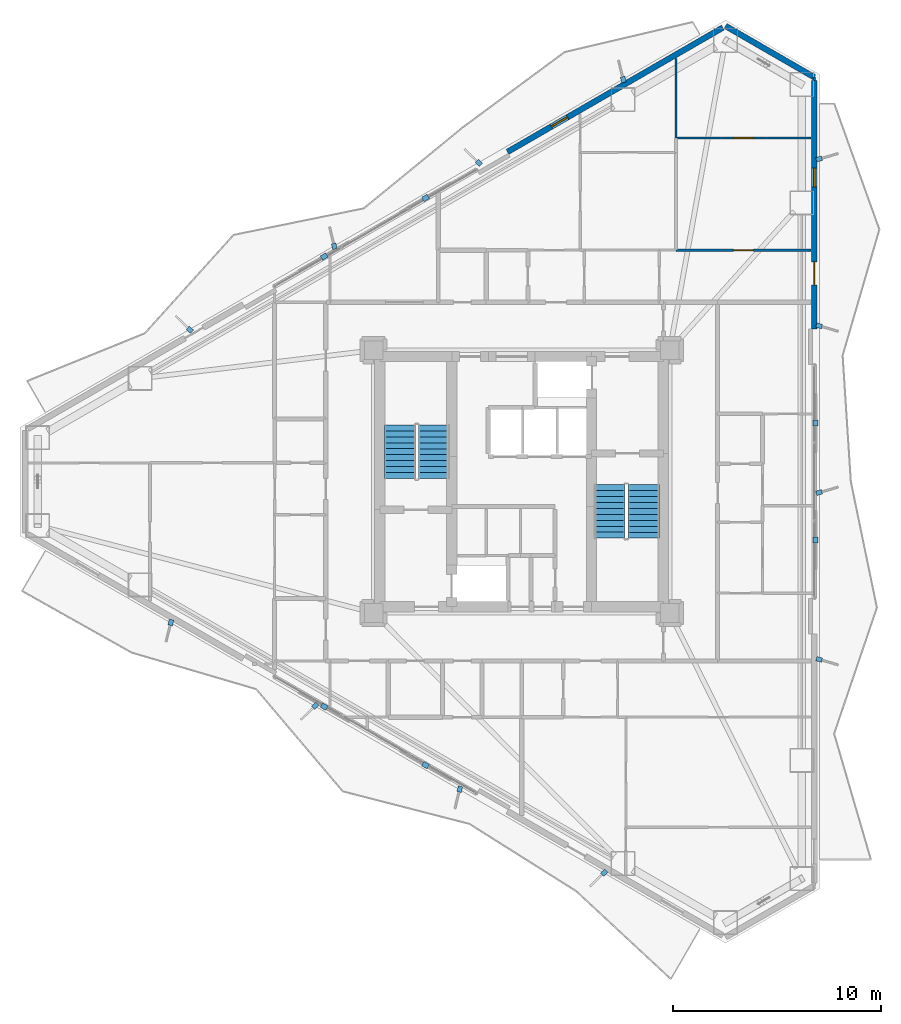
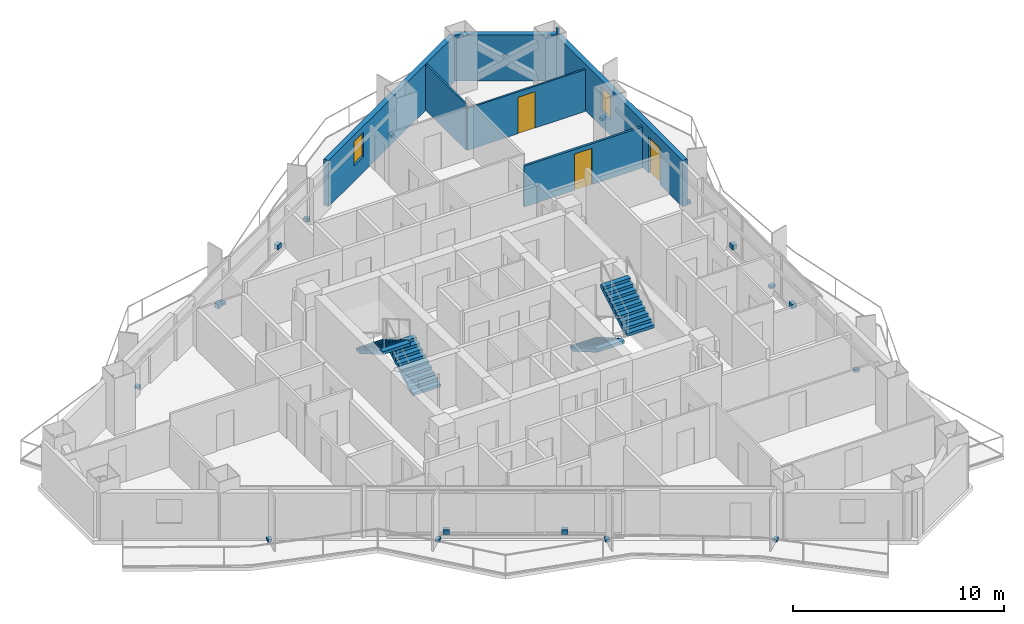
# One storey, part 20 of 22: 18 discrete accessories, 7 walls, 4 stair flights, 3 doors, 2 windows, 5 openings, 2 elements without a shape of their own.
"""IFC4 building model written with IfcOpenShell, lengths in metres."""

from ifc_helpers import new_model, si_unit, direction, frame, frame_2d, origin, origin_2d, place, context, subcontext, project, spatial, polyline, rectangle, outline, extrude, material, layer, layer_set, type_object, element, fill, aggregate, save


model = new_model("IFC4")

# Units and contexts
model_context = context("Model", 3, precision=1e-05, world=origin(), true_north=direction((0.0, 1.0)))
body_context = subcontext(model_context, "Body", "Model", "MODEL_VIEW")
ifc_project = project(units=[si_unit("LENGTHUNIT", "METRE"), si_unit("AREAUNIT", "SQUARE_METRE"), si_unit("VOLUMEUNIT", "CUBIC_METRE"), si_unit("PLANEANGLEUNIT", "RADIAN"), si_unit("MASSUNIT", "GRAM", prefix="KILO")], contexts=[model_context])

# Site, building, storey
site_placement = place(None, origin())
site = spatial("IfcSite", under=ifc_project, at=site_placement, CompositionType="ELEMENT")
building_placement = place(site_placement, origin())
building = spatial("IfcBuilding", under=site, at=building_placement, Name="Mersakhor Tower and Convention Hall", CompositionType="ELEMENT")
storey_placement = place(building_placement, frame((0.0, 0.0, 76.800048828125)))
storey = spatial("IfcBuildingStorey", under=building, at=storey_placement, Name="L20", CompositionType="ELEMENT", Elevation=76.800048828125)

# Wall
ifc_material_1 = material(Name="Precast concrete C45/55", Category="concrete")
ifc_layer_1 = layer(ifc_material_1, 0.27490234375)
ifc_layer_set_1 = layer_set([ifc_layer_1], Name="Precast concrete C45/55")
wall_type_1 = type_object("IfcWallType", Name="WL-EXT-275", PredefinedType="SOLIDWALL", material=ifc_layer_set_1)
wall_1_placement = place(storey_placement, frame((38.77880859375, 48.6015625, 0.0), z_axis=(0.0, 0.0, 1.0), x_axis=(0.866011848704, -0.500023477353, 0.0)))
element("IfcWall", 1, at=wall_1_placement, inside=storey, type_object=wall_type_1, Name="L20 Chamfer Braced Spandrel Wall C1", PredefinedType="SOLIDWALL", context=body_context, shape_type="SweptSolid", body=[
    extrude(rectangle(XDim=4.914306640625, YDim=0.27490234375, at=frame_2d((2.45703125, 0.0))), origin(), (0.0, 0.0, 1.0), 2.669921875),
])

# Wall, opening, window
wall_2_placement = place(storey_placement, frame((28.3173828125, 42.561767578125, 0.0), z_axis=(0.0, 0.0, 1.0), x_axis=(0.866023023012, 0.500004123596, 0.0)))
wall_2 = element("IfcWall", 2, at=wall_2_placement, inside=storey, type_object=wall_type_1, Name="L20 Exterior Facade Wall F1-B3", PredefinedType="SOLIDWALL", context=body_context, shape_type="SweptSolid", body=[
    extrude(rectangle(XDim=11.9296875, YDim=0.27490234375, at=frame_2d((5.96484375, 0.0))), origin(), (0.0, 0.0, 1.0), 2.669921875),
])
opening_1_placement = place(wall_2_placement, frame((2.427001953125, 0.0, 0.89990234375)))
opening_1 = element("IfcOpeningElement", 3, at=opening_1_placement, cuts=wall_2, Name="Opening W-06", PredefinedType="OPENING", context=body_context, shape_type="SweptSolid", body=[
    extrude(rectangle(XDim=0.89990234375, YDim=1.39990234375, at=frame_2d((0.449951171875, 0.699951171875))), frame((0.0, 0.1474609375, 0.0), z_axis=(0.0, -1.0, 0.0), x_axis=(1.0, 0.0, 0.0)), (0.0, 0.0, 1.0), 0.294921875),
])
ifc_material_2 = material(Name="Dark solar low-E glazed aluminium window", Category="aluminium")
window_type = type_object("IfcWindowType", Name="WN-STD-090x140", PartitioningType="SINGLE_PANEL", PredefinedType="WINDOW", material=ifc_material_2)
window_1_placement = place(opening_1_placement, origin())
window_1 = element("IfcWindow", 4, at=window_1_placement, inside=storey, type_object=window_type, Name="L20 Facade Punched Window F1-B3", OverallHeight=1.39990234375, OverallWidth=0.89990234375, PartitioningType="SINGLE_PANEL", PredefinedType="WINDOW", context=body_context, shape_type="SweptSolid", body=[
    extrude(rectangle(XDim=0.89990234375, YDim=1.39990234375, at=frame_2d((0.449951171875, 0.699951171875))), frame((0.0, 0.030029296875, 0.0), z_axis=(0.0, -1.0, 0.0), x_axis=(1.0, 0.0, 0.0)), (0.0, 0.0, 1.0), 0.06005859375),
])
fill(opening_1, window_1)

# Wall, openings, door, window
wall_3_placement = place(storey_placement, frame((43.03466796875, 45.994384765625, 0.0), z_axis=(0.0, 0.0, 1.0), x_axis=(0.0, -1.0, 0.0)))
wall_3 = element("IfcWall", 5, at=wall_3_placement, inside=storey, type_object=wall_type_1, Name="L20 Exterior Facade Wall F2-B1", PredefinedType="SOLIDWALL", context=body_context, shape_type="SweptSolid", body=[
    extrude(rectangle(XDim=11.9296875, YDim=0.27490234375, at=frame_2d((5.96484375, 0.0))), origin(), (0.0, 0.0, 1.0), 2.669921875),
])
opening_2_placement = place(wall_3_placement, frame((8.7041015625, 0.0, 0.0)))
opening_2 = element("IfcOpeningElement", 6, at=opening_2_placement, cuts=wall_3, Name="Opening BD-02", PredefinedType="OPENING", context=body_context, shape_type="SweptSolid", body=[
    extrude(rectangle(XDim=1.10009765625, YDim=2.10009765625, at=frame_2d((0.550048828125, 1.050048828125))), frame((0.0, 0.1474609375, 0.0), z_axis=(0.0, -1.0, 0.0), x_axis=(1.0, 0.0, 0.0)), (0.0, 0.0, 1.0), 0.294921875),
])
opening_3_placement = place(wall_3_placement, frame((4.214111328125, 0.0, 0.89990234375)))
opening_3 = element("IfcOpeningElement", 7, at=opening_3_placement, cuts=wall_3, Name="Opening W-06", PredefinedType="OPENING", context=body_context, shape_type="SweptSolid", body=[
    extrude(rectangle(XDim=0.89990234375, YDim=1.39990234375, at=frame_2d((0.449951171875, 0.699951171875))), frame((0.0, 0.1474609375, 0.0), z_axis=(0.0, -1.0, 0.0), x_axis=(1.0, 0.0, 0.0)), (0.0, 0.0, 1.0), 0.294921875),
])
ifc_material_3 = material(Name="Thermally broken dark aluminium and safety glass", Category="aluminium")
door_type_1 = type_object("IfcDoorType", Name="DR-BAL-110x210", OperationType="NOTDEFINED", PredefinedType="DOOR", material=ifc_material_3)
door_1_placement = place(opening_2_placement, origin())
door_1 = element("IfcDoor", 8, at=door_1_placement, inside=storey, type_object=door_type_1, Name="L20 Balcony Terrace Door F2-B1", OperationType="SINGLE_SWING_RIGHT", OverallHeight=2.10009765625, OverallWidth=1.10009765625, PredefinedType="DOOR", context=body_context, shape_type="SweptSolid", body=[
    extrude(rectangle(XDim=1.10009765625, YDim=2.10009765625, at=frame_2d((0.550048828125, 1.050048828125))), frame((0.0, 0.02490234375, 0.0), z_axis=(0.0, -1.0, 0.0), x_axis=(1.0, 0.0, 0.0)), (0.0, 0.0, 1.0), 0.050048828125),
])
fill(opening_2, door_1)
window_2_placement = place(opening_3_placement, origin())
window_2 = element("IfcWindow", 9, at=window_2_placement, inside=storey, type_object=window_type, Name="L20 Bedroom Facade Window F2-B1-1", OverallHeight=1.39990234375, OverallWidth=0.89990234375, PartitioningType="SINGLE_PANEL", PredefinedType="WINDOW", context=body_context, shape_type="SweptSolid", body=[
    extrude(rectangle(XDim=0.89990234375, YDim=1.39990234375, at=frame_2d((0.449951171875, 0.699951171875))), frame((0.0, 0.030029296875, 0.0), z_axis=(0.0, -1.0, 0.0), x_axis=(1.0, 0.0, 0.0)), (0.0, 0.0, 1.0), 0.06005859375),
])
fill(opening_3, window_2)

# Wall
ifc_material_4 = material(Name="Lightweight gypsum partition", Category="other")
ifc_layer_2 = layer(ifc_material_4, 0.10009765625)
ifc_layer_set_2 = layer_set([ifc_layer_2], Name="Lightweight gypsum partition")
wall_type_2 = type_object("IfcWallType", Name="WL-PRT-100", PredefinedType="PARTITIONING", material=ifc_layer_set_2)
wall_4_placement = place(storey_placement, frame((36.39990234375, 47.041748046875, 0.0), z_axis=(0.0, 0.0, 1.0), x_axis=(0.0, -1.0, 0.0)))
element("IfcWall", 10, at=wall_4_placement, inside=storey, type_object=wall_type_2, Name="L20 Interior Partition Wall P-116", PredefinedType="PARTITIONING", context=body_context, shape_type="SweptSolid", body=[
    extrude(rectangle(XDim=3.811767578125, YDim=0.10009765625, at=frame_2d((1.90576171875, 0.0))), origin(), (0.0, 0.0, 1.0), 2.660400390625),
])

# Wall, opening, door
wall_5_placement = place(storey_placement, frame((36.39990234375, 43.22998046875, 0.0), z_axis=(0.0, 0.0, 1.0), x_axis=(1.0, 0.0, 0.0)))
wall_5 = element("IfcWall", 11, at=wall_5_placement, inside=storey, type_object=wall_type_2, Name="L20 Interior Partition Wall P-118", PredefinedType="PARTITIONING", context=body_context, shape_type="SweptSolid", body=[
    extrude(rectangle(XDim=6.47314453125, YDim=0.10009765625, at=frame_2d((3.236572265625, 0.0))), origin(), (0.0, 0.0, 1.0), 2.4228515625),
])
opening_4_placement = place(wall_5_placement, frame((2.76171875, 0.0, 0.0)))
opening_4 = element("IfcOpeningElement", 12, at=opening_4_placement, cuts=wall_5, Name="Opening RD-01", PredefinedType="OPENING", context=body_context, shape_type="SweptSolid", body=[
    extrude(rectangle(XDim=0.949951171875, YDim=2.10009765625, at=frame_2d((0.47509765625, 1.050048828125))), frame((0.0, 0.06005859375, 0.0), z_axis=(0.0, -1.0, 0.0), x_axis=(1.0, 0.0, 0.0)), (0.0, 0.0, 1.0), 0.1201171875),
])
ifc_material_5 = material(Name="Solid-core hardwood leaf in painted steel frame", Category="steel")
door_type_2 = type_object("IfcDoorType", Name="DR-INT-RM-095x210", OperationType="NOTDEFINED", PredefinedType="DOOR", material=ifc_material_5)
door_2_placement = place(opening_4_placement, origin())
door_2 = element("IfcDoor", 13, at=door_2_placement, inside=storey, type_object=door_type_2, Name="L20 L20 Flat N1 Bedroom 2 to L20 Flat N1 Study Room Door", OperationType="SINGLE_SWING_LEFT", OverallHeight=2.10009765625, OverallWidth=0.949951171875, PredefinedType="DOOR", context=body_context, shape_type="SweptSolid", body=[
    extrude(rectangle(XDim=0.949951171875, YDim=2.10009765625, at=frame_2d((0.47509765625, 1.050048828125))), frame((0.0, 0.02490234375, 0.0), z_axis=(0.0, -1.0, 0.0), x_axis=(1.0, 0.0, 0.0)), (0.0, 0.0, 1.0), 0.050048828125),
])
fill(opening_4, door_2)

ifc_material_6 = material(Name="Gypsum board acoustic partition", Category="other")
ifc_layer_3 = layer(ifc_material_6, 0.125)
ifc_layer_set_3 = layer_set([ifc_layer_3], Name="Gypsum board acoustic partition")
wall_type_3 = type_object("IfcWallType", Name="WL-PRT-125", PredefinedType="PARTITIONING", material=ifc_layer_set_3)
wall_6_placement = place(storey_placement, frame((36.39990234375, 37.85009765625, 0.0), z_axis=(0.0, 0.0, 1.0), x_axis=(1.0, 0.0, 0.0)))
wall_6 = element("IfcWall", 14, at=wall_6_placement, inside=storey, type_object=wall_type_3, Name="L20 Interior Partition Wall P-111", PredefinedType="PARTITIONING", context=body_context, shape_type="SweptSolid", body=[
    extrude(rectangle(XDim=6.47314453125, YDim=0.125, at=frame_2d((3.236572265625, 0.0))), origin(), (0.0, 0.0, 1.0), 2.364990234375),
])
opening_5_placement = place(wall_6_placement, frame((2.76171875, 0.0, 0.0)))
opening_5 = element("IfcOpeningElement", 15, at=opening_5_placement, cuts=wall_6, Name="Opening RD-01", PredefinedType="OPENING", context=body_context, shape_type="SweptSolid", body=[
    extrude(rectangle(XDim=0.949951171875, YDim=2.10009765625, at=frame_2d((0.47509765625, 1.050048828125))), frame((0.0, 0.072509765625, 0.0), z_axis=(0.0, -1.0, 0.0), x_axis=(1.0, 0.0, 0.0)), (0.0, 0.0, 1.0), 0.14501953125),
])
door_3_placement = place(opening_5_placement, origin())
door_3 = element("IfcDoor", 16, at=door_3_placement, inside=storey, type_object=door_type_2, Name="L20 L20 Flat N1 Study Room to L20 Flat N1 Bedroom 2 Door", OperationType="SINGLE_SWING_LEFT", OverallHeight=2.10009765625, OverallWidth=0.949951171875, PredefinedType="DOOR", context=body_context, shape_type="SweptSolid", body=[
    extrude(rectangle(XDim=0.949951171875, YDim=2.10009765625, at=frame_2d((0.47509765625, 1.050048828125))), frame((0.0, 0.02490234375, 0.0), z_axis=(0.0, -1.0, 0.0), x_axis=(1.0, 0.0, 0.0)), (0.0, 0.0, 1.0), 0.050048828125),
])
fill(opening_5, door_3)

# Wall
wall_7_placement = place(storey_placement, frame((43.034912109375, 46.14404296875, 0.0), z_axis=(0.0, 0.0, 1.0), x_axis=(0.0, -1.0, 0.0)))
element("IfcWall", 17, at=wall_7_placement, inside=storey, type_object=wall_type_3, Name="L20 Interior Partition Wall P-119", PredefinedType="PARTITIONING", context=body_context, shape_type="SweptSolid", body=[
    extrude(rectangle(XDim=0.149658203125, YDim=0.125, at=frame_2d((0.07470703125, 0.0))), origin(), (0.0, 0.0, 1.0), 3.050048828125),
])

# Stair, stair flights
ifc_material_7 = material(Name="Concrete C45/55", Category="concrete")
stair_type = type_object("IfcStairType", Name="ST-TWR-20R", PredefinedType="HALF_TURN_STAIR", material=ifc_material_7)
stair_1_placement = place(storey_placement, origin())
stair_1 = element("IfcStair", 18, at=stair_1_placement, inside=storey, type_object=stair_type, Name="L20 Tower Protected Exit Stair ST-1", PredefinedType="HALF_TURN_STAIR")
ifc_material_8 = material(Name="Concrete C45/55", Category="concrete")
stair_flight_type = type_object("IfcStairFlightType", Name="SFL-TWR-20R", PredefinedType="STRAIGHT", material=ifc_material_8)
stair_flight_1_placement = place(storey_placement, frame((24.800048828125, 26.89990234375, 0.0), z_axis=(0.0, 0.0, 1.0), x_axis=(0.0, 1.0, 0.0)))
stair_flight_1 = element("IfcStairFlight", 19, at=stair_flight_1_placement, type_object=stair_flight_type, Name="ST-1 flight 1", NumberOfRisers=10, NumberOfTreads=9, PredefinedType="STRAIGHT", RiserHeight=0.165, TreadLength=0.285, context=body_context, shape_type="SweptSolid", body=[
    extrude(outline(polyline([(0.0, 0.0), (0.0, 0.1650390625), (0.284912109375, 0.1650390625), (0.284912109375, 0.330078125), (0.570068359375, 0.330078125), (0.570068359375, 0.4951171875), (0.85498046875, 0.4951171875), (0.85498046875, 0.659912109375), (1.139892578125, 0.659912109375), (1.139892578125, 0.824951171875), (1.425048828125, 0.824951171875), (1.425048828125, 0.989990234375), (1.7099609375, 0.989990234375), (1.7099609375, 1.155029296875), (1.9951171875, 1.155029296875), (1.9951171875, 1.320068359375), (2.280029296875, 1.320068359375), (2.280029296875, 1.485107421875), (2.56494140625, 1.485107421875), (2.56494140625, 1.64990234375), (2.56494140625, 1.311767578125), (0.299072265625, 0.0), (0.0, 0.0)])), frame((0.0, 0.75, 0.0), z_axis=(0.0, -1.0, 0.0), x_axis=(1.0, 0.0, 0.0)), (0.0, 0.0, 1.0), 1.5),
])
stair_flight_2_placement = place(storey_placement, frame((23.14990234375, 29.465087890625, 1.64990234375), z_axis=(0.0, 0.0, 1.0), x_axis=(0.0, -1.0, 0.0)))
stair_flight_2 = element("IfcStairFlight", 20, at=stair_flight_2_placement, type_object=stair_flight_type, Name="ST-1 flight 2", NumberOfRisers=10, NumberOfTreads=9, PredefinedType="STRAIGHT", RiserHeight=0.165, TreadLength=0.285, context=body_context, shape_type="SweptSolid", body=[
    extrude(outline(polyline([(0.0, 0.0), (0.0, 0.1650390625), (0.284912109375, 0.1650390625), (0.284912109375, 0.330078125), (0.570068359375, 0.330078125), (0.570068359375, 0.4951171875), (0.85498046875, 0.4951171875), (0.85498046875, 0.659912109375), (1.139892578125, 0.659912109375), (1.139892578125, 0.824951171875), (1.425048828125, 0.824951171875), (1.425048828125, 0.989990234375), (1.7099609375, 0.989990234375), (1.7099609375, 1.155029296875), (1.9951171875, 1.155029296875), (1.9951171875, 1.320068359375), (2.280029296875, 1.320068359375), (2.280029296875, 1.485107421875), (2.56494140625, 1.485107421875), (2.56494140625, 1.64990234375), (2.56494140625, 1.311767578125), (0.299072265625, 0.0), (0.0, 0.0)])), frame((0.0, 0.75, 0.0), z_axis=(0.0, -1.0, 0.0), x_axis=(1.0, 0.0, 0.0)), (0.0, 0.0, 1.0), 1.5),
])
aggregate(stair_1, [stair_flight_1, stair_flight_2])

stair_2_placement = place(storey_placement, origin())
stair_2 = element("IfcStair", 21, at=stair_2_placement, inside=storey, type_object=stair_type, Name="L20 Tower Protected Exit Stair ST-2", PredefinedType="HALF_TURN_STAIR")
stair_flight_3_placement = place(storey_placement, frame((33.199951171875, 26.60009765625, 0.0), z_axis=(0.0, 0.0, 1.0), x_axis=(0.0, -1.0, 0.0)))
stair_flight_3 = element("IfcStairFlight", 22, at=stair_flight_3_placement, type_object=stair_flight_type, Name="ST-2 flight 1", NumberOfRisers=10, NumberOfTreads=9, PredefinedType="STRAIGHT", RiserHeight=0.165, TreadLength=0.285, context=body_context, shape_type="SweptSolid", body=[
    extrude(outline(polyline([(0.0, 0.0), (0.0, 0.1650390625), (0.284912109375, 0.1650390625), (0.284912109375, 0.330078125), (0.570068359375, 0.330078125), (0.570068359375, 0.4951171875), (0.85498046875, 0.4951171875), (0.85498046875, 0.659912109375), (1.139892578125, 0.659912109375), (1.139892578125, 0.824951171875), (1.425048828125, 0.824951171875), (1.425048828125, 0.989990234375), (1.7099609375, 0.989990234375), (1.7099609375, 1.155029296875), (1.9951171875, 1.155029296875), (1.9951171875, 1.320068359375), (2.280029296875, 1.320068359375), (2.280029296875, 1.485107421875), (2.56494140625, 1.485107421875), (2.56494140625, 1.64990234375), (2.56494140625, 1.311767578125), (0.299072265625, 0.0), (0.0, 0.0)])), frame((0.0, 0.75, 0.0), z_axis=(0.0, -1.0, 0.0), x_axis=(1.0, 0.0, 0.0)), (0.0, 0.0, 1.0), 1.5),
])
stair_flight_4_placement = place(storey_placement, frame((34.85009765625, 24.034912109375, 1.64990234375), z_axis=(0.0, 0.0, 1.0), x_axis=(0.0, 1.0, 0.0)))
stair_flight_4 = element("IfcStairFlight", 23, at=stair_flight_4_placement, type_object=stair_flight_type, Name="ST-2 flight 2", NumberOfRisers=10, NumberOfTreads=9, PredefinedType="STRAIGHT", RiserHeight=0.165, TreadLength=0.285, context=body_context, shape_type="SweptSolid", body=[
    extrude(outline(polyline([(0.0, 0.0), (0.0, 0.1650390625), (0.284912109375, 0.1650390625), (0.284912109375, 0.330078125), (0.570068359375, 0.330078125), (0.570068359375, 0.4951171875), (0.85498046875, 0.4951171875), (0.85498046875, 0.659912109375), (1.139892578125, 0.659912109375), (1.139892578125, 0.824951171875), (1.425048828125, 0.824951171875), (1.425048828125, 0.989990234375), (1.7099609375, 0.989990234375), (1.7099609375, 1.155029296875), (1.9951171875, 1.155029296875), (1.9951171875, 1.320068359375), (2.280029296875, 1.320068359375), (2.280029296875, 1.485107421875), (2.56494140625, 1.485107421875), (2.56494140625, 1.64990234375), (2.56494140625, 1.311767578125), (0.299072265625, 0.0), (0.0, 0.0)])), frame((0.0, 0.75, 0.0), z_axis=(0.0, -1.0, 0.0), x_axis=(1.0, 0.0, 0.0)), (0.0, 0.0, 1.0), 1.5),
])
aggregate(stair_2, [stair_flight_3, stair_flight_4])

# Discrete accessories
ifc_material_9 = material(Name="Galvanised steel bracket", Category="steel")
ifc_layer_4 = layer(ifc_material_9, 0.02001953125)
ifc_layer_set_4 = layer_set([ifc_layer_4], Name="Galvanised steel bracket")
discrete_accessory_type = type_object("IfcDiscreteAccessoryType", Name="ACC-BRK-STL", PredefinedType="BRACKET", material=ifc_layer_set_4)
for number, where, z_axis, x_axis, name in (
    (24, (19.5263671875, 37.5439453125, 0.2900390625), (0.0, 0.0, 1.0), (0.866025403784, 0.5, 0.0), "L20 Solar Screen Outrigger Bracket BRK-1-1"),
    (25, (24.388916015625, 40.351318359375, 0.2900390625), (0.0, 0.0, 1.0), (0.866025403784, 0.5, 0.0), "L20 Solar Screen Outrigger Bracket BRK-1-2"),
):
    element("IfcDiscreteAccessory", number, at=place(storey_placement, frame(where, z_axis=z_axis, x_axis=x_axis)), inside=storey, type_object=discrete_accessory_type, Name=name, PredefinedType="BRACKET", context=body_context, shape_type="SweptSolid", body=[
        extrude(rectangle(XDim=0.300048828125, YDim=0.239990234375, at=origin_2d()), origin(), (0.0, 0.0, 1.0), 0.260009765625),
    ])
for number, where, z_axis, x_axis, name in (
    (26, (13.08740234375, 34.0341796875, -0.02001953125), (0.0, 0.0, 1.0), (-0.719339800339, 0.694658370459, 0.0), "L20 Facade Fin Base Cleat Bracket FBRK-1-1"),
    (27, (20.015380859375, 38.0341796875, -0.02001953125), (0.0, 0.0, 1.0), (-0.2419218956, 0.970295726276, 0.0), "L20 Facade Fin Base Cleat Bracket FBRK-1-2"),
    (28, (26.943603515625, 42.0341796875, -0.02001953125), (0.0, 0.0, 1.0), (-0.719339800339, 0.694658370459, 0.0), "L20 Facade Fin Base Cleat Bracket FBRK-1-3"),
    (29, (33.871826171875, 46.0341796875, -0.02001953125), (0.0, 0.0, 1.0), (-0.2419218956, 0.970295726276, 0.0), "L20 Facade Fin Base Cleat Bracket FBRK-1-4"),
):
    element("IfcDiscreteAccessory", number, at=place(storey_placement, frame(where, z_axis=z_axis, x_axis=x_axis)), inside=storey, type_object=discrete_accessory_type, Name=name, PredefinedType="BRACKET", context=body_context, shape_type="SweptSolid", body=[
        extrude(rectangle(XDim=0.280029296875, YDim=0.219970703125, at=origin_2d()), origin(), (0.0, 0.0, 1.0), 0.159912109375),
    ])
for number, where, z_axis, x_axis, name in (
    (30, (43.084716796875, 29.557373046875, 0.2900390625), (0.0, 0.0, 1.0), (0.0, -1.0, 0.0), "L20 Solar Screen Outrigger Bracket BRK-2-1"),
    (31, (43.084716796875, 23.942626953125, 0.2900390625), (0.0, 0.0, 1.0), (0.0, -1.0, 0.0), "L20 Solar Screen Outrigger Bracket BRK-2-2"),
):
    element("IfcDiscreteAccessory", number, at=place(storey_placement, frame(where, z_axis=z_axis, x_axis=x_axis)), inside=storey, type_object=discrete_accessory_type, Name=name, PredefinedType="BRACKET", context=body_context, shape_type="SweptSolid", body=[
        extrude(rectangle(XDim=0.300048828125, YDim=0.239990234375, at=origin_2d()), origin(), (0.0, 0.0, 1.0), 0.260009765625),
    ])
for number, where, z_axis, x_axis, name in (
    (32, (43.2646484375, 42.221923828125, -0.02001953125), (0.0, 0.0, 1.0), (0.961261695938, 0.275637355817, 0.0), "L20 Facade Fin Base Cleat Bracket FBRK-2-1"),
    (33, (43.2646484375, 34.221923828125, -0.02001953125), (0.0, 0.0, 1.0), (0.961261695938, -0.275637355817, 0.0), "L20 Facade Fin Base Cleat Bracket FBRK-2-2"),
    (34, (43.2646484375, 26.221923828125, -0.02001953125), (0.0, 0.0, 1.0), (0.961261695938, 0.275637355817, 0.0), "L20 Facade Fin Base Cleat Bracket FBRK-2-3"),
    (35, (43.2646484375, 18.221923828125, -0.02001953125), (0.0, 0.0, 1.0), (0.961261695938, -0.275637355817, 0.0), "L20 Facade Fin Base Cleat Bracket FBRK-2-4"),
):
    element("IfcDiscreteAccessory", number, at=place(storey_placement, frame(where, z_axis=z_axis, x_axis=x_axis)), inside=storey, type_object=discrete_accessory_type, Name=name, PredefinedType="BRACKET", context=body_context, shape_type="SweptSolid", body=[
        extrude(rectangle(XDim=0.280029296875, YDim=0.219970703125, at=origin_2d()), origin(), (0.0, 0.0, 1.0), 0.159912109375),
    ])
for number, where, z_axis, x_axis, name in (
    (36, (24.388916015625, 13.148681640625, 0.2900390625), (0.0, 0.0, 1.0), (-0.866025403784, 0.5, 0.0), "L20 Solar Screen Outrigger Bracket BRK-3-1"),
    (37, (19.526611328125, 15.9560546875, 0.2900390625), (0.0, 0.0, 1.0), (-0.866025403784, 0.5, 0.0), "L20 Solar Screen Outrigger Bracket BRK-3-2"),
):
    element("IfcDiscreteAccessory", number, at=place(storey_placement, frame(where, z_axis=z_axis, x_axis=x_axis)), inside=storey, type_object=discrete_accessory_type, Name=name, PredefinedType="BRACKET", context=body_context, shape_type="SweptSolid", body=[
        extrude(rectangle(XDim=0.300048828125, YDim=0.239990234375, at=origin_2d()), origin(), (0.0, 0.0, 1.0), 0.260009765625),
    ])
for number, where, z_axis, x_axis, name in (
    (38, (32.95751953125, 7.993896484375, -0.02001953125), (0.0, 0.0, 1.0), (-0.719339800339, -0.694658370459, 0.0), "L20 Facade Fin Base Cleat Bracket FBRK-3-1"),
    (39, (26.029296875, 11.993896484375, -0.02001953125), (0.0, 0.0, 1.0), (-0.2419218956, -0.970295726276, 0.0), "L20 Facade Fin Base Cleat Bracket FBRK-3-2"),
    (40, (19.10107421875, 15.993896484375, -0.02001953125), (0.0, 0.0, 1.0), (-0.719339800339, -0.694658370459, 0.0), "L20 Facade Fin Base Cleat Bracket FBRK-3-3"),
    (41, (12.1728515625, 19.993896484375, -0.02001953125), (0.0, 0.0, 1.0), (-0.2419218956, -0.970295726276, 0.0), "L20 Facade Fin Base Cleat Bracket FBRK-3-4"),
):
    element("IfcDiscreteAccessory", number, at=place(storey_placement, frame(where, z_axis=z_axis, x_axis=x_axis)), inside=storey, type_object=discrete_accessory_type, Name=name, PredefinedType="BRACKET", context=body_context, shape_type="SweptSolid", body=[
        extrude(rectangle(XDim=0.280029296875, YDim=0.219970703125, at=origin_2d()), origin(), (0.0, 0.0, 1.0), 0.159912109375),
    ])

save(model, "model.ifc")
